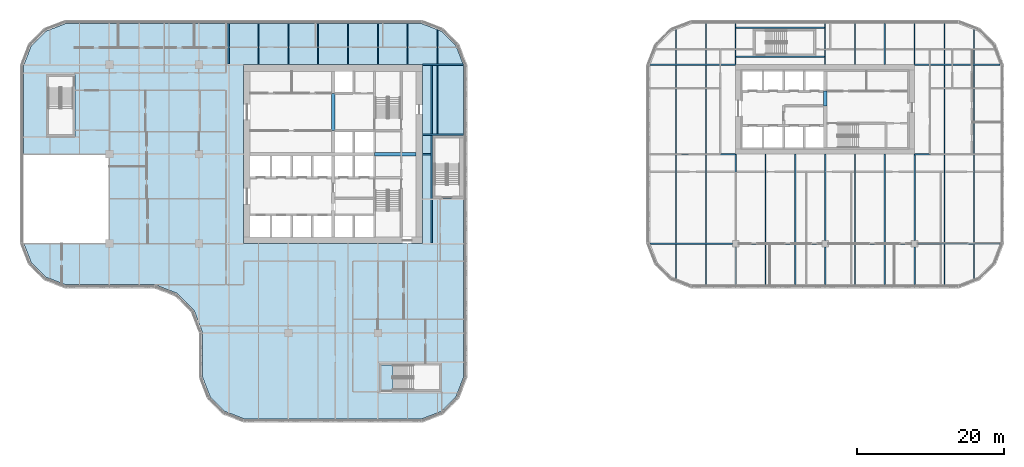
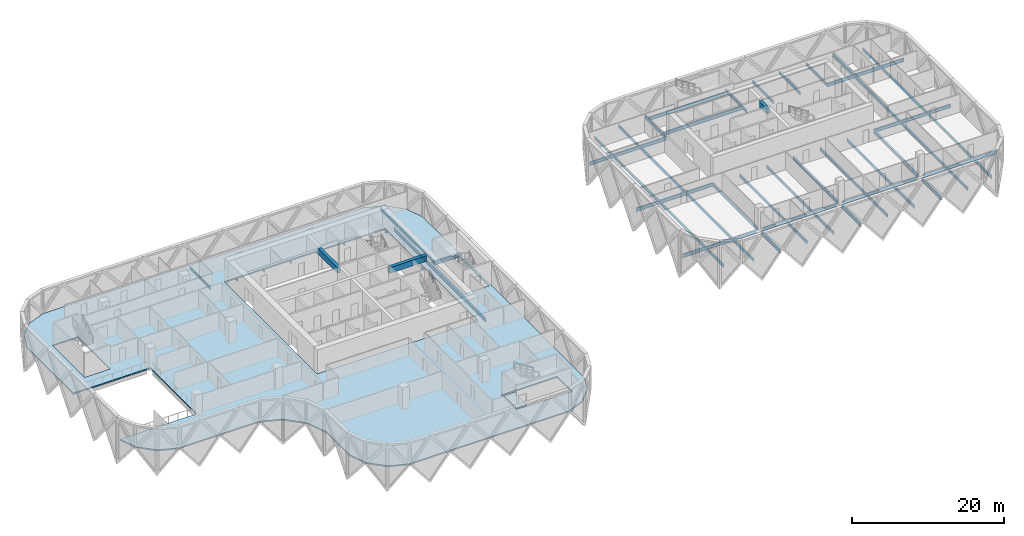
# One storey, part 2 of 24: 61 beams, 2 slabs.
"""IFC4 building model written with IfcOpenShell, lengths in metres."""

from ifc_helpers import new_model, si_unit, direction, frame, origin, origin_2d, place, context, subcontext, project, spatial, polyline, rectangle, i_section, outline, extrude, material, layer, layer_set, material_profile, profile_set, type_object, element, save


model = new_model("IFC4")

# Units and contexts
model_context = context("Model", 3, precision=1e-05, world=origin(), true_north=direction((0.0, 1.0)))
body_context = subcontext(model_context, "Body", "Model", "MODEL_VIEW")
ifc_project = project(units=[si_unit("LENGTHUNIT", "METRE"), si_unit("AREAUNIT", "SQUARE_METRE"), si_unit("VOLUMEUNIT", "CUBIC_METRE"), si_unit("PLANEANGLEUNIT", "RADIAN"), si_unit("MASSUNIT", "GRAM", prefix="KILO")], contexts=[model_context])

# Site, building, storey
site_placement = place(None, origin())
site = spatial("IfcSite", under=ifc_project, at=site_placement, CompositionType="ELEMENT")
building_placement = place(site_placement, origin())
building = spatial("IfcBuilding", under=site, at=building_placement, Name="Tessera Gate Towers", CompositionType="ELEMENT")
storey_placement = place(building_placement, frame((0.0, 0.0, 60.0)))
storey = spatial("IfcBuildingStorey", under=building, at=storey_placement, Name="L14", CompositionType="ELEMENT", Elevation=60.0)

# Beams
ifc_material_1 = material(Name="Concrete C60/75", Category="concrete")
ifc_material_profile_1 = material_profile(ifc_material_1, rectangle(XDim=0.5, YDim=0.89990234375, at=origin_2d()), Name="RC 500x900")
ifc_profile_set_1 = profile_set([ifc_material_profile_1], Name="Concrete C60/75")
beam_type_1 = type_object("IfcBeamType", Name="COUPLING BEAM 500x900 C60/75", PredefinedType="BEAM", material=ifc_profile_set_1)
beam_1_placement = place(storey_placement, frame((109.800048828125, 43.199951171875, 3.050048828125), z_axis=(0.0, 1.0, 0.0), x_axis=(-1.0, 0.0, 0.0)))
element("IfcBeam", 1, at=beam_1_placement, inside=storey, type_object=beam_type_1, Name="L14 coupling beam 1", PredefinedType="BEAM", context=body_context, shape_type="SweptSolid", body=[
    extrude(rectangle(XDim=0.5, YDim=0.89990234375, at=origin_2d()), origin(), (0.0, 0.0, 1.0), 2.0),
])
ifc_material_2 = material(Name="Concrete C70/85", Category="concrete")
ifc_material_profile_2 = material_profile(ifc_material_2, rectangle(XDim=0.5, YDim=0.89990234375, at=origin_2d()), Name="RC 500x900")
ifc_profile_set_2 = profile_set([ifc_material_profile_2], Name="Concrete C70/85")
beam_type_2 = type_object("IfcBeamType", Name="COUPLING BEAM 500x900 C70/85", PredefinedType="BEAM", material=ifc_profile_set_2)
beam_2_placement = place(storey_placement, frame((48.35009765625, 36.60009765625, 3.050048828125), z_axis=(1.0, 0.0, 0.0), x_axis=(0.0, 1.0, 0.0)))
element("IfcBeam", 2, at=beam_2_placement, inside=storey, type_object=beam_type_2, Name="L14 coupling beam 1", PredefinedType="BEAM", context=body_context, shape_type="SweptSolid", body=[
    extrude(rectangle(XDim=0.5, YDim=0.89990234375, at=origin_2d()), origin(), (0.0, 0.0, 1.0), 5.64990234375),
])
beam_3_placement = place(storey_placement, frame((42.699951171875, 39.800048828125, 3.050048828125), z_axis=(0.0, 1.0, 0.0), x_axis=(-1.0, 0.0, 0.0)))
element("IfcBeam", 3, at=beam_3_placement, inside=storey, type_object=beam_type_2, Name="L14 coupling beam 2", PredefinedType="BEAM", context=body_context, shape_type="SweptSolid", body=[
    extrude(rectangle(XDim=0.5, YDim=0.89990234375, at=origin_2d()), origin(), (0.0, 0.0, 1.0), 5.099853515625),
])
ifc_material_3 = material(Name="Steel 350W", Category="steel")
ifc_material_profile_3 = material_profile(ifc_material_3, i_section(OverallWidth=0.208984375, OverallDepth=0.532958984375, WebThickness=0.01025390625, FlangeThickness=0.015625, at=origin_2d()), Name="W530x92")
ifc_profile_set_3 = profile_set([ifc_material_profile_3], Name="Steel 350W")
beam_type_3 = type_object("IfcBeamType", Name="FLOOR GIRDER W530x92", PredefinedType="BEAM", material=ifc_profile_set_3)
beam_4_placement = place(storey_placement, frame((54.89892578125, 36.60009765625, -0.466552734375), z_axis=(1.0, 0.0, 0.0), x_axis=(0.0, 1.0, 0.0)))
element("IfcBeam", 4, at=beam_4_placement, inside=storey, type_object=beam_type_3, Name="T1-GD-L14-2000", PredefinedType="BEAM", context=body_context, shape_type="SweptSolid", body=[
    extrude(i_section(OverallWidth=0.208984375, OverallDepth=0.532958984375, WebThickness=0.01025390625, FlangeThickness=0.015625, at=origin_2d()), origin(), (0.0, 0.0, 1.0), 1.176513671875),
])
beam_5_placement = place(storey_placement, frame((54.90087890625, 48.800048828125, -0.466552734375), z_axis=(1.0, 0.0, 0.0), x_axis=(0.0, 1.0, 0.0)))
element("IfcBeam", 5, at=beam_5_placement, inside=storey, type_object=beam_type_3, Name="T1-GD-L14-2004", PredefinedType="BEAM", context=body_context, shape_type="SweptSolid", body=[
    extrude(i_section(OverallWidth=0.208984375, OverallDepth=0.532958984375, WebThickness=0.01025390625, FlangeThickness=0.015625, at=origin_2d()), origin(), (0.0, 0.0, 1.0), 5.564208984375),
])
beam_6_placement = place(storey_placement, frame((54.89892578125, 39.219970703125, -0.466552734375), z_axis=(1.0, 0.0, 0.0), x_axis=(0.0, 1.0, 0.0)))
element("IfcBeam", 6, at=beam_6_placement, inside=storey, type_object=beam_type_3, Name="T1-GD-L14-2022", PredefinedType="BEAM", context=body_context, shape_type="SweptSolid", body=[
    extrude(i_section(OverallWidth=0.208984375, OverallDepth=0.532958984375, WebThickness=0.01025390625, FlangeThickness=0.015625, at=origin_2d()), origin(), (0.0, 0.0, 1.0), 5.60205078125),
])
beam_7_placement = place(storey_placement, frame((56.179931640625, 24.50439453125, -0.466552734375), z_axis=(0.0, 1.0, 0.0), x_axis=(-1.0, 0.0, 0.0)))
element("IfcBeam", 7, at=beam_7_placement, inside=storey, type_object=beam_type_3, Name="T1-GD-L14-2023", PredefinedType="BEAM", context=body_context, shape_type="SweptSolid", body=[
    extrude(i_section(OverallWidth=0.208984375, OverallDepth=0.532958984375, WebThickness=0.01025390625, FlangeThickness=0.015625, at=origin_2d()), origin(), (0.0, 0.0, 1.0), 24.191162109375),
])
beam_8_placement = place(storey_placement, frame((85.934814453125, 24.39990234375, -0.466552734375), z_axis=(1.0, 0.0, 0.0), x_axis=(0.0, 1.0, 0.0)))
element("IfcBeam", 8, at=beam_8_placement, inside=storey, type_object=beam_type_3, Name="T2-GD-L14-2064", PredefinedType="BEAM", context=body_context, shape_type="SweptSolid", body=[
    extrude(i_section(OverallWidth=0.208984375, OverallDepth=0.532958984375, WebThickness=0.01025390625, FlangeThickness=0.015625, at=origin_2d()), origin(), (0.0, 0.0, 1.0), 11.215087890625),
])
for number, where, z_axis, x_axis, name in (
    (9, (98.050048828125, 24.39990234375, -0.466552734375), (1.0, 0.0, 0.0), (0.0, 1.0, 0.0), "T2-GD-L14-2065"),
    (10, (110.25, 24.39990234375, -0.466552734375), (1.0, 0.0, 0.0), (0.0, 1.0, 0.0), "T2-GD-L14-2066"),
):
    element("IfcBeam", number, at=place(storey_placement, frame(where, z_axis=z_axis, x_axis=x_axis)), inside=storey, type_object=beam_type_3, Name=name, PredefinedType="BEAM", context=body_context, shape_type="SweptSolid", body=[
        extrude(i_section(OverallWidth=0.208984375, OverallDepth=0.532958984375, WebThickness=0.01025390625, FlangeThickness=0.015625, at=origin_2d()), origin(), (0.0, 0.0, 1.0), 11.300048828125),
    ])
beam_9_placement = place(storey_placement, frame((122.449951171875, 24.39990234375, -0.466552734375), z_axis=(1.0, 0.0, 0.0), x_axis=(0.0, 1.0, 0.0)))
element("IfcBeam", 11, at=beam_9_placement, inside=storey, type_object=beam_type_3, Name="T2-GD-L14-2067", PredefinedType="BEAM", context=body_context, shape_type="SweptSolid", body=[
    extrude(i_section(OverallWidth=0.208984375, OverallDepth=0.532958984375, WebThickness=0.01025390625, FlangeThickness=0.015625, at=origin_2d()), origin(), (0.0, 0.0, 1.0), 11.21533203125),
])
beam_10_placement = place(storey_placement, frame((85.89892578125, 36.60009765625, -0.466552734375), z_axis=(1.0, 0.0, 0.0), x_axis=(0.0, 1.0, 0.0)))
element("IfcBeam", 12, at=beam_10_placement, inside=storey, type_object=beam_type_3, Name="T2-GD-L14-2068", PredefinedType="BEAM", context=body_context, shape_type="SweptSolid", body=[
    extrude(i_section(OverallWidth=0.208984375, OverallDepth=0.532958984375, WebThickness=0.01025390625, FlangeThickness=0.015625, at=origin_2d()), origin(), (0.0, 0.0, 1.0), 11.7001953125),
])
beam_11_placement = place(storey_placement, frame((122.0009765625, 36.60009765625, -0.466552734375), z_axis=(1.0, 0.0, 0.0), x_axis=(0.0, 1.0, 0.0)))
element("IfcBeam", 13, at=beam_11_placement, inside=storey, type_object=beam_type_3, Name="T2-GD-L14-2069", PredefinedType="BEAM", context=body_context, shape_type="SweptSolid", body=[
    extrude(i_section(OverallWidth=0.208984375, OverallDepth=0.532958984375, WebThickness=0.01025390625, FlangeThickness=0.015625, at=origin_2d()), origin(), (0.0, 0.0, 1.0), 11.699951171875),
])
for number, where, z_axis, x_axis, name in (
    (14, (85.934814453125, 48.800048828125, -0.466552734375), (1.0, 0.0, 0.0), (0.0, 1.0, 0.0), "T2-GD-L14-2070"),
    (15, (122.0009765625, 48.800048828125, -0.466552734375), (1.0, 0.0, 0.0), (0.0, 1.0, 0.0), "T2-GD-L14-2071"),
):
    element("IfcBeam", number, at=place(storey_placement, frame(where, z_axis=z_axis, x_axis=x_axis)), inside=storey, type_object=beam_type_3, Name=name, PredefinedType="BEAM", context=body_context, shape_type="SweptSolid", body=[
        extrude(i_section(OverallWidth=0.208984375, OverallDepth=0.532958984375, WebThickness=0.01025390625, FlangeThickness=0.015625, at=origin_2d()), origin(), (0.0, 0.0, 1.0), 11.664306640625),
    ])
beam_12_placement = place(storey_placement, frame((97.60009765625, 18.799072265625, -0.466552734375), z_axis=(0.0, 1.0, 0.0), x_axis=(-1.0, 0.0, 0.0)))
element("IfcBeam", 16, at=beam_12_placement, inside=storey, type_object=beam_type_3, Name="T2-GD-L14-2072", PredefinedType="BEAM", context=body_context, shape_type="SweptSolid", body=[
    extrude(i_section(OverallWidth=0.208984375, OverallDepth=0.532958984375, WebThickness=0.01025390625, FlangeThickness=0.015625, at=origin_2d()), origin(), (0.0, 0.0, 1.0), 5.15087890625),
])
beam_13_placement = place(storey_placement, frame((97.60009765625, 24.85009765625, -0.466552734375), z_axis=(0.0, 1.0, 0.0), x_axis=(-1.0, 0.0, 0.0)))
element("IfcBeam", 17, at=beam_13_placement, inside=storey, type_object=beam_type_3, Name="T2-GD-L14-2073", PredefinedType="BEAM", context=body_context, shape_type="SweptSolid", body=[
    extrude(i_section(OverallWidth=0.208984375, OverallDepth=0.532958984375, WebThickness=0.01025390625, FlangeThickness=0.015625, at=origin_2d()), origin(), (0.0, 0.0, 1.0), 11.75),
])
beam_14_placement = place(storey_placement, frame((109.800048828125, 18.799072265625, -0.466552734375), z_axis=(0.0, 1.0, 0.0), x_axis=(-1.0, 0.0, 0.0)))
element("IfcBeam", 18, at=beam_14_placement, inside=storey, type_object=beam_type_3, Name="T2-GD-L14-2074", PredefinedType="BEAM", context=body_context, shape_type="SweptSolid", body=[
    extrude(i_section(OverallWidth=0.208984375, OverallDepth=0.532958984375, WebThickness=0.01025390625, FlangeThickness=0.015625, at=origin_2d()), origin(), (0.0, 0.0, 1.0), 5.15087890625),
])
beam_15_placement = place(storey_placement, frame((109.800048828125, 24.85009765625, -0.466552734375), z_axis=(0.0, 1.0, 0.0), x_axis=(-1.0, 0.0, 0.0)))
element("IfcBeam", 19, at=beam_15_placement, inside=storey, type_object=beam_type_3, Name="T2-GD-L14-2075", PredefinedType="BEAM", context=body_context, shape_type="SweptSolid", body=[
    extrude(i_section(OverallWidth=0.208984375, OverallDepth=0.532958984375, WebThickness=0.01025390625, FlangeThickness=0.015625, at=origin_2d()), origin(), (0.0, 0.0, 1.0), 11.75),
])
beam_16_placement = place(storey_placement, frame((122.0, 18.799072265625, -0.466552734375), z_axis=(0.0, 1.0, 0.0), x_axis=(-1.0, 0.0, 0.0)))
element("IfcBeam", 20, at=beam_16_placement, inside=storey, type_object=beam_type_3, Name="T2-GD-L14-2076", PredefinedType="BEAM", context=body_context, shape_type="SweptSolid", body=[
    extrude(i_section(OverallWidth=0.208984375, OverallDepth=0.532958984375, WebThickness=0.01025390625, FlangeThickness=0.015625, at=origin_2d()), origin(), (0.0, 0.0, 1.0), 5.15087890625),
])
beam_17_placement = place(storey_placement, frame((122.0, 24.85009765625, -0.466552734375), z_axis=(0.0, 1.0, 0.0), x_axis=(-1.0, 0.0, 0.0)))
element("IfcBeam", 21, at=beam_17_placement, inside=storey, type_object=beam_type_3, Name="T2-GD-L14-2077", PredefinedType="BEAM", context=body_context, shape_type="SweptSolid", body=[
    extrude(i_section(OverallWidth=0.208984375, OverallDepth=0.532958984375, WebThickness=0.01025390625, FlangeThickness=0.015625, at=origin_2d()), origin(), (0.0, 0.0, 1.0), 11.75),
])
for number, where, z_axis, x_axis, name in (
    (22, (97.676513671875, 49.8798828125, -0.466552734375), (1.0, 0.0, 0.0), (0.0, 1.0, 0.0), "T2-GD-L14-2078"),
    (23, (97.676513671875, 53.820068359375, -0.466552734375), (1.0, 0.0, 0.0), (0.0, 1.0, 0.0), "T2-GD-L14-2079"),
):
    element("IfcBeam", number, at=place(storey_placement, frame(where, z_axis=z_axis, x_axis=x_axis)), inside=storey, type_object=beam_type_3, Name=name, PredefinedType="BEAM", context=body_context, shape_type="SweptSolid", body=[
        extrude(i_section(OverallWidth=0.208984375, OverallDepth=0.532958984375, WebThickness=0.01025390625, FlangeThickness=0.015625, at=origin_2d()), origin(), (0.0, 0.0, 1.0), 12.046875),
    ])
ifc_material_4 = material(Name="Steel 350W", Category="steel")
ifc_material_profile_4 = material_profile(ifc_material_4, i_section(OverallWidth=0.153076171875, OverallDepth=0.455078125, WebThickness=0.008056640625, FlangeThickness=0.01318359375, at=origin_2d()), Name="W460x60")
ifc_profile_set_4 = profile_set([ifc_material_profile_4], Name="Steel 350W")
beam_type_4 = type_object("IfcBeamType", Name="FLOOR SECONDARY W460x60", PredefinedType="BEAM", material=ifc_profile_set_4)
beam_18_placement = place(storey_placement, frame((28.466796875, 48.904541015625, -0.427490234375), z_axis=(0.0, 1.0, 0.0), x_axis=(-1.0, 0.0, 0.0)))
element("IfcBeam", 24, at=beam_18_placement, inside=storey, type_object=beam_type_4, Name="T1-BM-L14-2042", PredefinedType="BEAM", context=body_context, shape_type="SweptSolid", body=[
    extrude(i_section(OverallWidth=0.153076171875, OverallDepth=0.455078125, WebThickness=0.008056640625, FlangeThickness=0.01318359375, at=origin_2d()), origin(), (0.0, 0.0, 1.0), 5.495361328125),
])
for number, where, z_axis, x_axis, name in (
    (25, (32.533203125, 48.800048828125, -0.427490234375), (0.0, 1.0, 0.0), (-1.0, 0.0, 0.0), "T1-BM-L14-2045"),
    (26, (36.60009765625, 48.800048828125, -0.427490234375), (0.0, 1.0, 0.0), (-1.0, 0.0, 0.0), "T1-BM-L14-2046"),
    (27, (40.666748046875, 48.800048828125, -0.427490234375), (0.0, 1.0, 0.0), (-1.0, 0.0, 0.0), "T1-BM-L14-2049"),
    (28, (44.7333984375, 48.800048828125, -0.427490234375), (0.0, 1.0, 0.0), (-1.0, 0.0, 0.0), "T1-BM-L14-2052"),
    (29, (48.800048828125, 48.800048828125, -0.427490234375), (0.0, 1.0, 0.0), (-1.0, 0.0, 0.0), "T1-BM-L14-2053"),
    (30, (52.86669921875, 48.800048828125, -0.427490234375), (0.0, 1.0, 0.0), (-1.0, 0.0, 0.0), "T1-BM-L14-2057"),
):
    element("IfcBeam", number, at=place(storey_placement, frame(where, z_axis=z_axis, x_axis=x_axis)), inside=storey, type_object=beam_type_4, Name=name, PredefinedType="BEAM", context=body_context, shape_type="SweptSolid", body=[
        extrude(i_section(OverallWidth=0.153076171875, OverallDepth=0.455078125, WebThickness=0.008056640625, FlangeThickness=0.01318359375, at=origin_2d()), origin(), (0.0, 0.0, 1.0), 5.599853515625),
    ])
beam_19_placement = place(storey_placement, frame((56.933349609375, 39.324462890625, -0.427490234375), z_axis=(0.0, 1.0, 0.0), x_axis=(-1.0, 0.0, 0.0)))
element("IfcBeam", 31, at=beam_19_placement, inside=storey, type_object=beam_type_4, Name="T1-BM-L14-2062", PredefinedType="BEAM", context=body_context, shape_type="SweptSolid", body=[
    extrude(i_section(OverallWidth=0.153076171875, OverallDepth=0.455078125, WebThickness=0.008056640625, FlangeThickness=0.01318359375, at=origin_2d()), origin(), (0.0, 0.0, 1.0), 9.37109375),
])
for number, where, z_axis, x_axis, name in (
    (32, (56.933349609375, 48.904541015625, -0.427490234375), (0.0, 1.0, 0.0), (-1.0, 0.0, 0.0), "T1-BM-L14-2063"),
    (33, (89.466796875, 19.620361328125, -0.427490234375), (0.0, 1.0, 0.0), (-1.0, 0.0, 0.0), "T2-BM-L14-2080"),
):
    element("IfcBeam", number, at=place(storey_placement, frame(where, z_axis=z_axis, x_axis=x_axis)), inside=storey, type_object=beam_type_4, Name=name, PredefinedType="BEAM", context=body_context, shape_type="SweptSolid", body=[
        extrude(i_section(OverallWidth=0.153076171875, OverallDepth=0.455078125, WebThickness=0.008056640625, FlangeThickness=0.01318359375, at=origin_2d()), origin(), (0.0, 0.0, 1.0), 4.675048828125),
    ])
beam_20_placement = place(storey_placement, frame((89.466796875, 24.50439453125, -0.427490234375), z_axis=(0.0, 1.0, 0.0), x_axis=(-1.0, 0.0, 0.0)))
element("IfcBeam", 34, at=beam_20_placement, inside=storey, type_object=beam_type_4, Name="T2-BM-L14-2081", PredefinedType="BEAM", context=body_context, shape_type="SweptSolid", body=[
    extrude(i_section(OverallWidth=0.153076171875, OverallDepth=0.455078125, WebThickness=0.008056640625, FlangeThickness=0.01318359375, at=origin_2d()), origin(), (0.0, 0.0, 1.0), 11.9912109375),
])
beam_21_placement = place(storey_placement, frame((89.466796875, 36.70458984375, -0.427490234375), z_axis=(0.0, 1.0, 0.0), x_axis=(-1.0, 0.0, 0.0)))
element("IfcBeam", 35, at=beam_21_placement, inside=storey, type_object=beam_type_4, Name="T2-BM-L14-2082", PredefinedType="BEAM", context=body_context, shape_type="SweptSolid", body=[
    extrude(i_section(OverallWidth=0.153076171875, OverallDepth=0.455078125, WebThickness=0.008056640625, FlangeThickness=0.01318359375, at=origin_2d()), origin(), (0.0, 0.0, 1.0), 11.990966796875),
])
beam_22_placement = place(storey_placement, frame((89.466796875, 48.904541015625, -0.427490234375), z_axis=(0.0, 1.0, 0.0), x_axis=(-1.0, 0.0, 0.0)))
element("IfcBeam", 36, at=beam_22_placement, inside=storey, type_object=beam_type_4, Name="T2-BM-L14-2083", PredefinedType="BEAM", context=body_context, shape_type="SweptSolid", body=[
    extrude(i_section(OverallWidth=0.153076171875, OverallDepth=0.455078125, WebThickness=0.008056640625, FlangeThickness=0.01318359375, at=origin_2d()), origin(), (0.0, 0.0, 1.0), 4.675048828125),
])
beam_23_placement = place(storey_placement, frame((93.533203125, 18.800048828125, -0.427490234375), z_axis=(0.0, 1.0, 0.0), x_axis=(-1.0, 0.0, 0.0)))
element("IfcBeam", 37, at=beam_23_placement, inside=storey, type_object=beam_type_4, Name="T2-BM-L14-2084", PredefinedType="BEAM", context=body_context, shape_type="SweptSolid", body=[
    extrude(i_section(OverallWidth=0.153076171875, OverallDepth=0.455078125, WebThickness=0.008056640625, FlangeThickness=0.01318359375, at=origin_2d()), origin(), (0.0, 0.0, 1.0), 5.495361328125),
])
beam_24_placement = place(storey_placement, frame((93.533203125, 24.50439453125, -0.427490234375), z_axis=(0.0, 1.0, 0.0), x_axis=(-1.0, 0.0, 0.0)))
element("IfcBeam", 38, at=beam_24_placement, inside=storey, type_object=beam_type_4, Name="T2-BM-L14-2085", PredefinedType="BEAM", context=body_context, shape_type="SweptSolid", body=[
    extrude(i_section(OverallWidth=0.153076171875, OverallDepth=0.455078125, WebThickness=0.008056640625, FlangeThickness=0.01318359375, at=origin_2d()), origin(), (0.0, 0.0, 1.0), 11.9912109375),
])
beam_25_placement = place(storey_placement, frame((93.533203125, 36.70458984375, -0.427490234375), z_axis=(0.0, 1.0, 0.0), x_axis=(-1.0, 0.0, 0.0)))
element("IfcBeam", 39, at=beam_25_placement, inside=storey, type_object=beam_type_4, Name="T2-BM-L14-2086", PredefinedType="BEAM", context=body_context, shape_type="SweptSolid", body=[
    extrude(i_section(OverallWidth=0.153076171875, OverallDepth=0.455078125, WebThickness=0.008056640625, FlangeThickness=0.01318359375, at=origin_2d()), origin(), (0.0, 0.0, 1.0), 11.990966796875),
])
beam_26_placement = place(storey_placement, frame((93.533203125, 48.904541015625, -0.427490234375), z_axis=(0.0, 1.0, 0.0), x_axis=(-1.0, 0.0, 0.0)))
element("IfcBeam", 40, at=beam_26_placement, inside=storey, type_object=beam_type_4, Name="T2-BM-L14-2087", PredefinedType="BEAM", context=body_context, shape_type="SweptSolid", body=[
    extrude(i_section(OverallWidth=0.153076171875, OverallDepth=0.455078125, WebThickness=0.008056640625, FlangeThickness=0.01318359375, at=origin_2d()), origin(), (0.0, 0.0, 1.0), 5.495361328125),
])
beam_27_placement = place(storey_placement, frame((97.60009765625, 48.800048828125, -0.427490234375), z_axis=(0.0, 1.0, 0.0), x_axis=(-1.0, 0.0, 0.0)))
element("IfcBeam", 41, at=beam_27_placement, inside=storey, type_object=beam_type_4, Name="T2-BM-L14-2088", PredefinedType="BEAM", context=body_context, shape_type="SweptSolid", body=[
    extrude(i_section(OverallWidth=0.153076171875, OverallDepth=0.455078125, WebThickness=0.008056640625, FlangeThickness=0.01318359375, at=origin_2d()), origin(), (0.0, 0.0, 1.0), 5.599853515625),
])
beam_28_placement = place(storey_placement, frame((101.666748046875, 18.800048828125, -0.427490234375), z_axis=(0.0, 1.0, 0.0), x_axis=(-1.0, 0.0, 0.0)))
element("IfcBeam", 42, at=beam_28_placement, inside=storey, type_object=beam_type_4, Name="T2-BM-L14-2089", PredefinedType="BEAM", context=body_context, shape_type="SweptSolid", body=[
    extrude(i_section(OverallWidth=0.153076171875, OverallDepth=0.455078125, WebThickness=0.008056640625, FlangeThickness=0.01318359375, at=origin_2d()), origin(), (0.0, 0.0, 1.0), 5.495361328125),
])
beam_29_placement = place(storey_placement, frame((101.666748046875, 24.50439453125, -0.427490234375), z_axis=(0.0, 1.0, 0.0), x_axis=(-1.0, 0.0, 0.0)))
element("IfcBeam", 43, at=beam_29_placement, inside=storey, type_object=beam_type_4, Name="T2-BM-L14-2090", PredefinedType="BEAM", context=body_context, shape_type="SweptSolid", body=[
    extrude(i_section(OverallWidth=0.153076171875, OverallDepth=0.455078125, WebThickness=0.008056640625, FlangeThickness=0.01318359375, at=origin_2d()), origin(), (0.0, 0.0, 1.0), 12.095703125),
])
beam_30_placement = place(storey_placement, frame((105.7333984375, 18.800048828125, -0.427490234375), z_axis=(0.0, 1.0, 0.0), x_axis=(-1.0, 0.0, 0.0)))
element("IfcBeam", 44, at=beam_30_placement, inside=storey, type_object=beam_type_4, Name="T2-BM-L14-2091", PredefinedType="BEAM", context=body_context, shape_type="SweptSolid", body=[
    extrude(i_section(OverallWidth=0.153076171875, OverallDepth=0.455078125, WebThickness=0.008056640625, FlangeThickness=0.01318359375, at=origin_2d()), origin(), (0.0, 0.0, 1.0), 5.495361328125),
])
beam_31_placement = place(storey_placement, frame((105.7333984375, 24.50439453125, -0.427490234375), z_axis=(0.0, 1.0, 0.0), x_axis=(-1.0, 0.0, 0.0)))
element("IfcBeam", 45, at=beam_31_placement, inside=storey, type_object=beam_type_4, Name="T2-BM-L14-2092", PredefinedType="BEAM", context=body_context, shape_type="SweptSolid", body=[
    extrude(i_section(OverallWidth=0.153076171875, OverallDepth=0.455078125, WebThickness=0.008056640625, FlangeThickness=0.01318359375, at=origin_2d()), origin(), (0.0, 0.0, 1.0), 12.095703125),
])
beam_32_placement = place(storey_placement, frame((109.800048828125, 48.800048828125, -0.427490234375), z_axis=(0.0, 1.0, 0.0), x_axis=(-1.0, 0.0, 0.0)))
element("IfcBeam", 46, at=beam_32_placement, inside=storey, type_object=beam_type_4, Name="T2-BM-L14-2093", PredefinedType="BEAM", context=body_context, shape_type="SweptSolid", body=[
    extrude(i_section(OverallWidth=0.153076171875, OverallDepth=0.455078125, WebThickness=0.008056640625, FlangeThickness=0.01318359375, at=origin_2d()), origin(), (0.0, 0.0, 1.0), 5.599853515625),
])
beam_33_placement = place(storey_placement, frame((113.86669921875, 18.800048828125, -0.427490234375), z_axis=(0.0, 1.0, 0.0), x_axis=(-1.0, 0.0, 0.0)))
element("IfcBeam", 47, at=beam_33_placement, inside=storey, type_object=beam_type_4, Name="T2-BM-L14-2094", PredefinedType="BEAM", context=body_context, shape_type="SweptSolid", body=[
    extrude(i_section(OverallWidth=0.153076171875, OverallDepth=0.455078125, WebThickness=0.008056640625, FlangeThickness=0.01318359375, at=origin_2d()), origin(), (0.0, 0.0, 1.0), 5.495361328125),
])
beam_34_placement = place(storey_placement, frame((113.86669921875, 24.50439453125, -0.427490234375), z_axis=(0.0, 1.0, 0.0), x_axis=(-1.0, 0.0, 0.0)))
element("IfcBeam", 48, at=beam_34_placement, inside=storey, type_object=beam_type_4, Name="T2-BM-L14-2095", PredefinedType="BEAM", context=body_context, shape_type="SweptSolid", body=[
    extrude(i_section(OverallWidth=0.153076171875, OverallDepth=0.455078125, WebThickness=0.008056640625, FlangeThickness=0.01318359375, at=origin_2d()), origin(), (0.0, 0.0, 1.0), 12.095703125),
])
beam_35_placement = place(storey_placement, frame((113.86669921875, 48.800048828125, -0.427490234375), z_axis=(0.0, 1.0, 0.0), x_axis=(-1.0, 0.0, 0.0)))
element("IfcBeam", 49, at=beam_35_placement, inside=storey, type_object=beam_type_4, Name="T2-BM-L14-2096", PredefinedType="BEAM", context=body_context, shape_type="SweptSolid", body=[
    extrude(i_section(OverallWidth=0.153076171875, OverallDepth=0.455078125, WebThickness=0.008056640625, FlangeThickness=0.01318359375, at=origin_2d()), origin(), (0.0, 0.0, 1.0), 5.599853515625),
])
beam_36_placement = place(storey_placement, frame((117.933349609375, 18.800048828125, -0.427490234375), z_axis=(0.0, 1.0, 0.0), x_axis=(-1.0, 0.0, 0.0)))
element("IfcBeam", 50, at=beam_36_placement, inside=storey, type_object=beam_type_4, Name="T2-BM-L14-2097", PredefinedType="BEAM", context=body_context, shape_type="SweptSolid", body=[
    extrude(i_section(OverallWidth=0.153076171875, OverallDepth=0.455078125, WebThickness=0.008056640625, FlangeThickness=0.01318359375, at=origin_2d()), origin(), (0.0, 0.0, 1.0), 5.495361328125),
])
beam_37_placement = place(storey_placement, frame((117.933349609375, 24.50439453125, -0.427490234375), z_axis=(0.0, 1.0, 0.0), x_axis=(-1.0, 0.0, 0.0)))
element("IfcBeam", 51, at=beam_37_placement, inside=storey, type_object=beam_type_4, Name="T2-BM-L14-2098", PredefinedType="BEAM", context=body_context, shape_type="SweptSolid", body=[
    extrude(i_section(OverallWidth=0.153076171875, OverallDepth=0.455078125, WebThickness=0.008056640625, FlangeThickness=0.01318359375, at=origin_2d()), origin(), (0.0, 0.0, 1.0), 12.095703125),
])
for number, where, z_axis, x_axis, name in (
    (52, (117.933349609375, 48.800048828125, -0.427490234375), (0.0, 1.0, 0.0), (-1.0, 0.0, 0.0), "T2-BM-L14-2099"),
    (53, (122.0, 48.800048828125, -0.427490234375), (0.0, 1.0, 0.0), (-1.0, 0.0, 0.0), "T2-BM-L14-2100"),
):
    element("IfcBeam", number, at=place(storey_placement, frame(where, z_axis=z_axis, x_axis=x_axis)), inside=storey, type_object=beam_type_4, Name=name, PredefinedType="BEAM", context=body_context, shape_type="SweptSolid", body=[
        extrude(i_section(OverallWidth=0.153076171875, OverallDepth=0.455078125, WebThickness=0.008056640625, FlangeThickness=0.01318359375, at=origin_2d()), origin(), (0.0, 0.0, 1.0), 5.599853515625),
    ])
beam_38_placement = place(storey_placement, frame((126.066650390625, 18.800048828125, -0.427490234375), z_axis=(0.0, 1.0, 0.0), x_axis=(-1.0, 0.0, 0.0)))
element("IfcBeam", 54, at=beam_38_placement, inside=storey, type_object=beam_type_4, Name="T2-BM-L14-2101", PredefinedType="BEAM", context=body_context, shape_type="SweptSolid", body=[
    extrude(i_section(OverallWidth=0.153076171875, OverallDepth=0.455078125, WebThickness=0.008056640625, FlangeThickness=0.01318359375, at=origin_2d()), origin(), (0.0, 0.0, 1.0), 5.495361328125),
])
beam_39_placement = place(storey_placement, frame((126.066650390625, 24.50439453125, -0.427490234375), z_axis=(0.0, 1.0, 0.0), x_axis=(-1.0, 0.0, 0.0)))
element("IfcBeam", 55, at=beam_39_placement, inside=storey, type_object=beam_type_4, Name="T2-BM-L14-2102", PredefinedType="BEAM", context=body_context, shape_type="SweptSolid", body=[
    extrude(i_section(OverallWidth=0.153076171875, OverallDepth=0.455078125, WebThickness=0.008056640625, FlangeThickness=0.01318359375, at=origin_2d()), origin(), (0.0, 0.0, 1.0), 11.9912109375),
])
beam_40_placement = place(storey_placement, frame((126.066650390625, 36.70458984375, -0.427490234375), z_axis=(0.0, 1.0, 0.0), x_axis=(-1.0, 0.0, 0.0)))
element("IfcBeam", 56, at=beam_40_placement, inside=storey, type_object=beam_type_4, Name="T2-BM-L14-2103", PredefinedType="BEAM", context=body_context, shape_type="SweptSolid", body=[
    extrude(i_section(OverallWidth=0.153076171875, OverallDepth=0.455078125, WebThickness=0.008056640625, FlangeThickness=0.01318359375, at=origin_2d()), origin(), (0.0, 0.0, 1.0), 11.990966796875),
])
beam_41_placement = place(storey_placement, frame((126.066650390625, 48.904541015625, -0.427490234375), z_axis=(0.0, 1.0, 0.0), x_axis=(-1.0, 0.0, 0.0)))
element("IfcBeam", 57, at=beam_41_placement, inside=storey, type_object=beam_type_4, Name="T2-BM-L14-2104", PredefinedType="BEAM", context=body_context, shape_type="SweptSolid", body=[
    extrude(i_section(OverallWidth=0.153076171875, OverallDepth=0.455078125, WebThickness=0.008056640625, FlangeThickness=0.01318359375, at=origin_2d()), origin(), (0.0, 0.0, 1.0), 5.495361328125),
])
beam_42_placement = place(storey_placement, frame((130.13330078125, 19.620361328125, -0.427490234375), z_axis=(0.0, 1.0, 0.0), x_axis=(-1.0, 0.0, 0.0)))
element("IfcBeam", 58, at=beam_42_placement, inside=storey, type_object=beam_type_4, Name="T2-BM-L14-2105", PredefinedType="BEAM", context=body_context, shape_type="SweptSolid", body=[
    extrude(i_section(OverallWidth=0.153076171875, OverallDepth=0.455078125, WebThickness=0.008056640625, FlangeThickness=0.01318359375, at=origin_2d()), origin(), (0.0, 0.0, 1.0), 4.675048828125),
])
beam_43_placement = place(storey_placement, frame((130.13330078125, 24.50439453125, -0.427490234375), z_axis=(0.0, 1.0, 0.0), x_axis=(-1.0, 0.0, 0.0)))
element("IfcBeam", 59, at=beam_43_placement, inside=storey, type_object=beam_type_4, Name="T2-BM-L14-2106", PredefinedType="BEAM", context=body_context, shape_type="SweptSolid", body=[
    extrude(i_section(OverallWidth=0.153076171875, OverallDepth=0.455078125, WebThickness=0.008056640625, FlangeThickness=0.01318359375, at=origin_2d()), origin(), (0.0, 0.0, 1.0), 11.9912109375),
])
beam_44_placement = place(storey_placement, frame((130.13330078125, 36.70458984375, -0.427490234375), z_axis=(0.0, 1.0, 0.0), x_axis=(-1.0, 0.0, 0.0)))
element("IfcBeam", 60, at=beam_44_placement, inside=storey, type_object=beam_type_4, Name="T2-BM-L14-2107", PredefinedType="BEAM", context=body_context, shape_type="SweptSolid", body=[
    extrude(i_section(OverallWidth=0.153076171875, OverallDepth=0.455078125, WebThickness=0.008056640625, FlangeThickness=0.01318359375, at=origin_2d()), origin(), (0.0, 0.0, 1.0), 11.990966796875),
])
beam_45_placement = place(storey_placement, frame((130.13330078125, 48.904541015625, -0.427490234375), z_axis=(0.0, 1.0, 0.0), x_axis=(-1.0, 0.0, 0.0)))
element("IfcBeam", 61, at=beam_45_placement, inside=storey, type_object=beam_type_4, Name="T2-BM-L14-2108", PredefinedType="BEAM", context=body_context, shape_type="SweptSolid", body=[
    extrude(i_section(OverallWidth=0.153076171875, OverallDepth=0.455078125, WebThickness=0.008056640625, FlangeThickness=0.01318359375, at=origin_2d()), origin(), (0.0, 0.0, 1.0), 4.675048828125),
])

# Slabs
ifc_material_5 = material(Name="Concrete C35/45", Category="concrete")
ifc_layer_1 = layer(ifc_material_5, 0.199951171875)
ifc_layer_set_1 = layer_set([ifc_layer_1], Name="COMPOSITE FLOOR 200")
slab_type_1 = type_object("IfcSlabType", Name="COMPOSITE FLOOR 200", PredefinedType="FLOOR", material=ifc_layer_set_1)
slab_1_placement = place(storey_placement, frame((0.0, 0.0, -0.199951171875)))
element("IfcSlab", 62, at=slab_1_placement, inside=storey, type_object=slab_type_1, Name="T1-L14", PredefinedType="FLOOR", context=body_context, shape_type="SweptSolid", body=[
    extrude(outline(polyline([(0.5, 36.60009765625), (12.199951171875, 36.60009765625), (12.199951171875, 24.39990234375), (0.535888671875, 24.39990234375), (1.526123046875, 21.8330078125), (3.533203125, 19.826171875), (6.193115234375, 18.800048828125), (18.39306640625, 18.800048828125), (21.42431640625, 17.630615234375), (23.730712890625, 15.32421875), (24.89990234375, 12.293212890625), (24.89990234375, 6.193115234375), (25.926025390625, 3.533203125), (27.93310546875, 1.526123046875), (30.593017578125, 0.5), (54.806884765625, 0.5), (57.466796875, 1.526123046875), (59.473876953125, 3.533203125), (60.5, 6.193115234375), (60.5, 48.706787109375), (59.473876953125, 51.366943359375), (57.466796875, 53.373779296875), (54.806884765625, 54.39990234375), (6.193115234375, 54.39990234375), (3.533203125, 53.373779296875), (1.526123046875, 51.366943359375), (0.5, 48.706787109375), (0.5, 36.60009765625)]), holes=[polyline([(3.60009765625, 39.0), (3.60009765625, 47.5), (7.5, 47.5), (7.5, 39.0), (3.60009765625, 39.0)]), polyline([(30.5, 24.39990234375), (30.5, 48.800048828125), (54.89990234375, 48.800048828125), (54.89990234375, 24.39990234375), (30.5, 24.39990234375)]), polyline([(49.0, 4.199951171875), (49.0, 8.10009765625), (57.5, 8.10009765625), (57.5, 4.199951171875), (49.0, 4.199951171875)]), polyline([(56.300048828125, 30.60009765625), (56.300048828125, 39.10009765625), (60.199951171875, 39.10009765625), (60.199951171875, 30.60009765625), (56.300048828125, 30.60009765625)])]), origin(), (0.0, 0.0, 1.0), 0.199951171875),
])
ifc_material_6 = material(Name="Concrete C35/45", Category="concrete")
ifc_layer_2 = layer(ifc_material_6, 0.199951171875)
ifc_layer_set_2 = layer_set([ifc_layer_2], Name="CORE FLOOR SLAB 200")
slab_type_2 = type_object("IfcSlabType", Name="CORE FLOOR SLAB 200", PredefinedType="FLOOR", material=ifc_layer_set_2)
slab_2_placement = place(storey_placement, frame((0.0, 0.0, -0.199951171875)))
element("IfcSlab", 63, at=slab_2_placement, inside=storey, type_object=slab_type_2, Name="L14 ST4 floor landing", PredefinedType="FLOOR", context=body_context, shape_type="SweptSolid", body=[
    extrude(outline(polyline([(49.25, 4.449951171875), (50.85009765625, 4.449951171875), (50.85009765625, 7.85009765625), (49.25, 7.85009765625), (49.25, 4.449951171875)])), origin(), (0.0, 0.0, 1.0), 0.199951171875),
])

save(model, "model.ifc")
